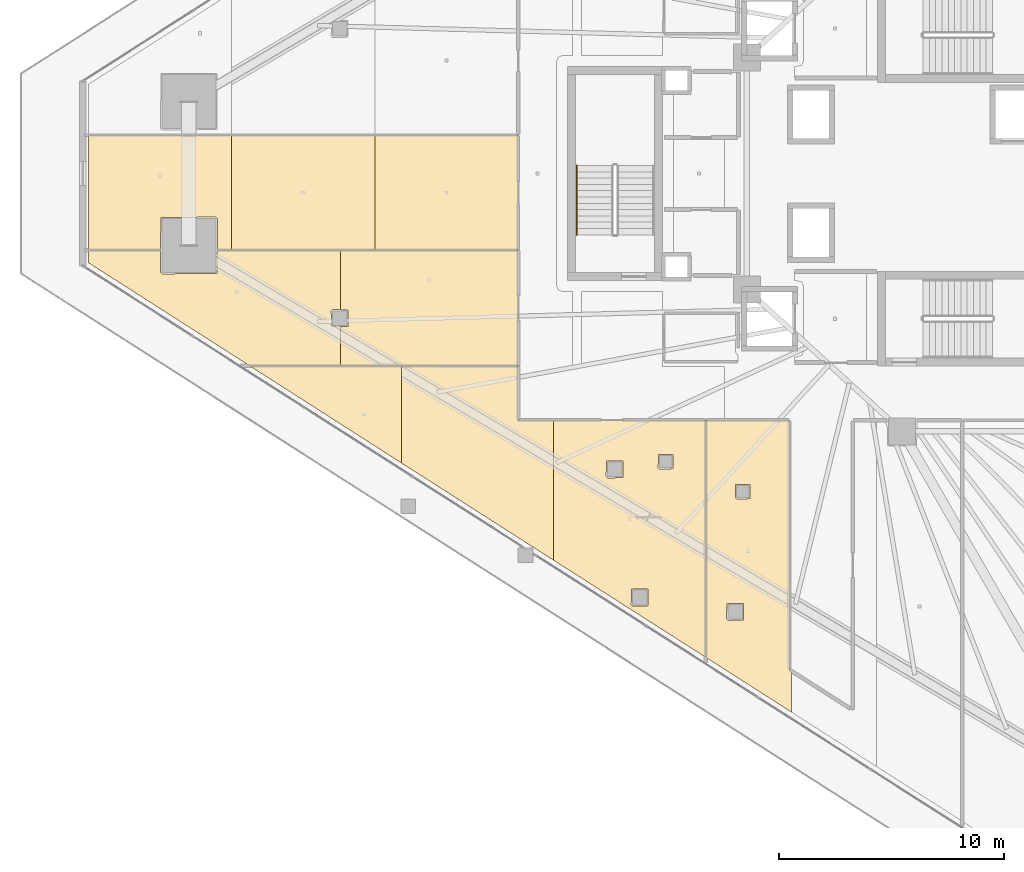
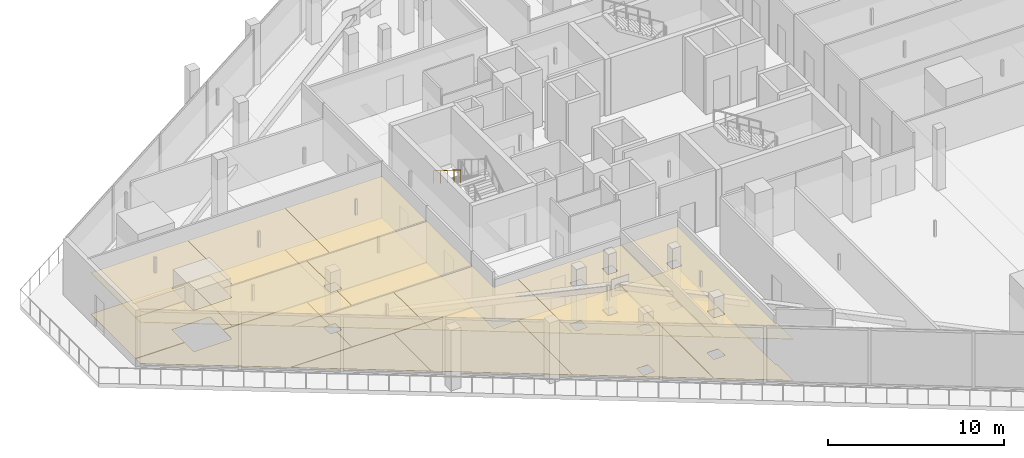
# One storey, part 44 of 52: 18 coverings, 1 railing.
"""IFC4 building model written with IfcOpenShell, lengths in metres."""

from ifc_helpers import new_model, si_unit, direction, frame, origin, origin_2d, place, context, subcontext, project, spatial, polyline, circle, outline, extrude, material, layer, layer_set, type_object, element, save


model = new_model("IFC4")

# Units and contexts
model_context = context("Model", 3, precision=1e-05, world=origin(), true_north=direction((0.0, 1.0)))
body_context = subcontext(model_context, "Body", "Model", "MODEL_VIEW")
ifc_project = project(units=[si_unit("LENGTHUNIT", "METRE"), si_unit("AREAUNIT", "SQUARE_METRE"), si_unit("VOLUMEUNIT", "CUBIC_METRE"), si_unit("PLANEANGLEUNIT", "RADIAN"), si_unit("MASSUNIT", "GRAM", prefix="KILO")], contexts=[model_context])

# Site, building, storey
site_placement = place(None, origin())
site = spatial("IfcSite", under=ifc_project, at=site_placement, CompositionType="ELEMENT")
building_placement = place(site_placement, origin())
building = spatial("IfcBuilding", under=site, at=building_placement, Name="Qorvath Tower", CompositionType="ELEMENT")
storey_placement = place(building_placement, frame((0.0, 0.0, 61.800048828125)))
storey = spatial("IfcBuildingStorey", under=building, at=storey_placement, Name="L13", CompositionType="ELEMENT", Elevation=61.800048828125)

# Coverings
ifc_material_1 = material(Name="Acoustic mineral fibre ceiling tile", Category="gypsum")
ifc_layer_1 = layer(ifc_material_1, 0.030029296875)
ifc_layer_set_1 = layer_set([ifc_layer_1], Name="COV-CEIL")
covering_type_1 = type_object("IfcCoveringType", Name="COV-CEIL", PredefinedType="CEILING", material=ifc_layer_set_1)
covering_1_placement = place(storey_placement, frame((0.0, 0.0, 2.849853515625)))
element("IfcCovering", 1, at=covering_1_placement, inside=storey, type_object=covering_type_1, Name="L13 Suspended Acoustic Ceiling 019", PredefinedType="CEILING", context=body_context, shape_type="SweptSolid", body=[
    extrude(outline(polyline([(-45.834228515625, -12.859375), (-45.834228515625, -8.548828125), (-52.58544921875, -8.541015625), (-45.834228515625, -12.859375)])), origin(), (0.0, 0.0, 1.0), 0.030029296875),
])
covering_2_placement = place(storey_placement, frame((0.0, 0.0, 2.849853515625)))
element("IfcCovering", 2, at=covering_2_placement, inside=storey, type_object=covering_type_1, Name="L13 Suspended Acoustic Ceiling 020", PredefinedType="CEILING", context=body_context, shape_type="SweptSolid", body=[
    extrude(outline(polyline([(-39.0830078125, -10.962890625), (-40.657958984375, -10.962890625), (-40.6630859375, -8.554931640625), (-45.834228515625, -8.548828125), (-45.834228515625, -12.859375), (-39.0830078125, -17.17626953125), (-39.0830078125, -10.962890625)])), origin(), (0.0, 0.0, 1.0), 0.030029296875),
])
covering_3_placement = place(storey_placement, frame((0.0, 0.0, 2.849853515625)))
element("IfcCovering", 3, at=covering_3_placement, inside=storey, type_object=covering_type_1, Name="L13 Suspended Acoustic Ceiling 021", PredefinedType="CEILING", context=body_context, shape_type="SweptSolid", body=[
    extrude(outline(polyline([(-32.331787109375, -21.483154296875), (-32.331787109375, -10.962890625), (-39.0830078125, -10.962890625), (-39.0830078125, -17.17626953125), (-32.331787109375, -21.483154296875)]), holes=[polyline([(-34.439208984375, -13.0673828125), (-34.421630859375, -12.47509765625), (-33.786865234375, -12.47509765625), (-33.786865234375, -13.10986328125), (-34.379150390625, -13.12744140625), (-34.439208984375, -13.0673828125)]), polyline([(-35.63671875, -19.154296875), (-35.619140625, -18.4619140625), (-34.88427734375, -18.4619140625), (-34.88427734375, -19.19677734375), (-35.57666015625, -19.21435546875), (-35.63671875, -19.154296875)]), polyline([(-36.749755859375, -13.46044921875), (-36.732177734375, -12.76806640625), (-35.997314453125, -12.76806640625), (-35.997314453125, -13.5029296875), (-36.689697265625, -13.5205078125), (-36.749755859375, -13.46044921875)])]), origin(), (0.0, 0.0, 1.0), 0.030029296875),
])
covering_4_placement = place(storey_placement, frame((0.0, 0.0, 2.849853515625)))
element("IfcCovering", 4, at=covering_4_placement, inside=storey, type_object=covering_type_1, Name="L13 Suspended Acoustic Ceiling 022", PredefinedType="CEILING", context=body_context, shape_type="SweptSolid", body=[
    extrude(outline(polyline([(-28.522705078125, -23.917724609375), (-28.522705078125, -22.0966796875), (-28.613037109375, -22.0390625), (-28.613037109375, -10.962890625), (-32.313720703125, -10.962890625), (-32.313720703125, -21.494873046875), (-28.522705078125, -23.917724609375)]), holes=[polyline([(-31.01220703125, -14.3994140625), (-30.99462890625, -13.806884765625), (-30.35986328125, -13.806884765625), (-30.35986328125, -14.441650390625), (-30.9521484375, -14.459228515625), (-31.01220703125, -14.3994140625)]), polyline([(-31.401123046875, -19.785400390625), (-31.383544921875, -19.093017578125), (-30.648681640625, -19.093017578125), (-30.648681640625, -19.827880859375), (-31.341064453125, -19.845458984375), (-31.401123046875, -19.785400390625)])]), origin(), (0.0, 0.0, 1.0), 0.030029296875),
])
covering_5_placement = place(storey_placement, frame((0.0, 0.0, 2.849853515625)))
element("IfcCovering", 5, at=covering_5_placement, inside=storey, type_object=covering_type_1, Name="L13 Suspended Acoustic Ceiling 038", PredefinedType="CEILING", context=body_context, shape_type="SweptSolid", body=[
    extrude(outline(polyline([(-48.55126953125, -8.532958984375), (-48.55126953125, -6.7919921875), (-48.94580078125, -6.7919921875), (-48.96337890625, -6.099609375), (-48.9033203125, -6.03955078125), (-48.55126953125, -6.048583984375), (-48.55126953125, -3.40771484375), (-54.02294921875, -3.40771484375), (-54.04052734375, -4.43701171875), (-56.48291015625, -4.45458984375), (-56.54296875, -4.39453125), (-56.54296875, -3.40771484375), (-59.743408203125, -3.40771484375), (-59.743408203125, -3.963623046875), (-52.59765625, -8.53076171875), (-48.55126953125, -8.532958984375)])), origin(), (0.0, 0.0, 1.0), 0.030029296875),
])
covering_6_placement = place(storey_placement, frame((0.0, 0.0, 2.849853515625)))
element("IfcCovering", 6, at=covering_6_placement, inside=storey, type_object=covering_type_1, Name="L13 Suspended Acoustic Ceiling 039", PredefinedType="CEILING", context=body_context, shape_type="SweptSolid", body=[
    extrude(outline(polyline([(-40.6630859375, -8.537109375), (-40.6630859375, -3.40771484375), (-48.55126953125, -3.40771484375), (-48.55126953125, -6.048583984375), (-48.2109375, -6.05712890625), (-48.2109375, -6.7919921875), (-48.55126953125, -6.7919921875), (-48.55126953125, -8.532958984375), (-40.6630859375, -8.537109375)])), origin(), (0.0, 0.0, 1.0), 0.030029296875),
])
covering_7_placement = place(storey_placement, frame((0.0, 0.0, 2.849853515625)))
element("IfcCovering", 7, at=covering_7_placement, inside=storey, type_object=covering_type_1, Name="L13 Suspended Acoustic Ceiling 040", PredefinedType="CEILING", context=body_context, shape_type="SweptSolid", body=[
    extrude(outline(polyline([(-54.02294921875, -3.389892578125), (-53.38330078125, -3.389892578125), (-53.38330078125, 1.697998046875), (-59.743408203125, 1.697998046875), (-59.743408203125, -3.389892578125), (-56.54296875, -3.389892578125), (-56.525390625, -1.9521484375), (-54.0830078125, -1.9345703125), (-54.02294921875, -1.994384765625), (-54.02294921875, -3.389892578125)])), origin(), (0.0, 0.0, 1.0), 0.030029296875),
])
covering_8_placement = place(storey_placement, frame((0.0, 0.0, 2.849853515625)))
element("IfcCovering", 8, at=covering_8_placement, inside=storey, type_object=covering_type_1, Name="L13 Suspended Acoustic Ceiling 041", PredefinedType="CEILING", context=body_context, shape_type="SweptSolid", body=[
    extrude(outline(polyline([(-53.38330078125, 1.697998046875), (-53.38330078125, -3.389892578125), (-47.023193359375, -3.389892578125), (-47.023193359375, 1.697998046875), (-53.38330078125, 1.697998046875)])), origin(), (0.0, 0.0, 1.0), 0.030029296875),
])
covering_9_placement = place(storey_placement, frame((0.0, 0.0, 2.849853515625)))
element("IfcCovering", 9, at=covering_9_placement, inside=storey, type_object=covering_type_1, Name="L13 Suspended Acoustic Ceiling 042", PredefinedType="CEILING", context=body_context, shape_type="SweptSolid", body=[
    extrude(outline(polyline([(-47.023193359375, 1.697998046875), (-47.023193359375, -3.389892578125), (-40.6630859375, -3.389892578125), (-40.6630859375, 1.697998046875), (-47.023193359375, 1.697998046875)])), origin(), (0.0, 0.0, 1.0), 0.030029296875),
])
ifc_material_2 = material(Name="Low-VOC modular carpet tile", Category="textile")
ifc_layer_2 = layer(ifc_material_2, 0.014892578125)
ifc_layer_set_2 = layer_set([ifc_layer_2], Name="COV-FLOOR-CPT")
covering_type_2 = type_object("IfcCoveringType", Name="COV-FLOOR-CPT", PredefinedType="FLOORING", material=ifc_layer_set_2)
covering_10_placement = place(storey_placement, origin())
element("IfcCovering", 10, at=covering_10_placement, inside=storey, type_object=covering_type_2, Name="L13 Floor Finish 019", PredefinedType="FLOORING", context=body_context, shape_type="SweptSolid", body=[
    extrude(outline(polyline([(-45.834228515625, -12.859375), (-45.834228515625, -8.548828125), (-52.58544921875, -8.541015625), (-45.834228515625, -12.859375)])), origin(), (0.0, 0.0, 1.0), 0.014892578125),
])
covering_11_placement = place(storey_placement, origin())
element("IfcCovering", 11, at=covering_11_placement, inside=storey, type_object=covering_type_2, Name="L13 Floor Finish 020", PredefinedType="FLOORING", context=body_context, shape_type="SweptSolid", body=[
    extrude(outline(polyline([(-39.0830078125, -10.962890625), (-40.657958984375, -10.962890625), (-40.6630859375, -8.554931640625), (-45.834228515625, -8.548828125), (-45.834228515625, -12.859375), (-39.0830078125, -17.17626953125), (-39.0830078125, -10.962890625)])), origin(), (0.0, 0.0, 1.0), 0.014892578125),
])
covering_12_placement = place(storey_placement, origin())
element("IfcCovering", 12, at=covering_12_placement, inside=storey, type_object=covering_type_2, Name="L13 Floor Finish 021", PredefinedType="FLOORING", context=body_context, shape_type="SweptSolid", body=[
    extrude(outline(polyline([(-32.331787109375, -21.483154296875), (-32.331787109375, -10.962890625), (-39.0830078125, -10.962890625), (-39.0830078125, -17.17626953125), (-32.331787109375, -21.483154296875)]), holes=[polyline([(-34.439208984375, -13.0673828125), (-34.421630859375, -12.47509765625), (-33.786865234375, -12.47509765625), (-33.786865234375, -13.10986328125), (-34.379150390625, -13.12744140625), (-34.439208984375, -13.0673828125)]), polyline([(-35.63671875, -19.154296875), (-35.619140625, -18.4619140625), (-34.88427734375, -18.4619140625), (-34.88427734375, -19.19677734375), (-35.57666015625, -19.21435546875), (-35.63671875, -19.154296875)]), polyline([(-36.749755859375, -13.46044921875), (-36.732177734375, -12.76806640625), (-35.997314453125, -12.76806640625), (-35.997314453125, -13.5029296875), (-36.689697265625, -13.5205078125), (-36.749755859375, -13.46044921875)])]), origin(), (0.0, 0.0, 1.0), 0.014892578125),
])
covering_13_placement = place(storey_placement, origin())
element("IfcCovering", 13, at=covering_13_placement, inside=storey, type_object=covering_type_2, Name="L13 Floor Finish 022", PredefinedType="FLOORING", context=body_context, shape_type="SweptSolid", body=[
    extrude(outline(polyline([(-28.522705078125, -23.917724609375), (-28.522705078125, -22.0966796875), (-28.613037109375, -22.0390625), (-28.613037109375, -10.962890625), (-32.313720703125, -10.962890625), (-32.313720703125, -21.494873046875), (-28.522705078125, -23.917724609375)]), holes=[polyline([(-31.01220703125, -14.3994140625), (-30.99462890625, -13.806884765625), (-30.35986328125, -13.806884765625), (-30.35986328125, -14.441650390625), (-30.9521484375, -14.459228515625), (-31.01220703125, -14.3994140625)]), polyline([(-31.401123046875, -19.785400390625), (-31.383544921875, -19.093017578125), (-30.648681640625, -19.093017578125), (-30.648681640625, -19.827880859375), (-31.341064453125, -19.845458984375), (-31.401123046875, -19.785400390625)])]), origin(), (0.0, 0.0, 1.0), 0.014892578125),
])
covering_14_placement = place(storey_placement, origin())
element("IfcCovering", 14, at=covering_14_placement, inside=storey, type_object=covering_type_2, Name="L13 Floor Finish 038", PredefinedType="FLOORING", context=body_context, shape_type="SweptSolid", body=[
    extrude(outline(polyline([(-48.55126953125, -8.532958984375), (-48.55126953125, -6.7919921875), (-48.94580078125, -6.7919921875), (-48.96337890625, -6.099609375), (-48.9033203125, -6.03955078125), (-48.55126953125, -6.048583984375), (-48.55126953125, -3.40771484375), (-54.02294921875, -3.40771484375), (-54.04052734375, -4.43701171875), (-56.48291015625, -4.45458984375), (-56.54296875, -4.39453125), (-56.54296875, -3.40771484375), (-59.743408203125, -3.40771484375), (-59.743408203125, -3.963623046875), (-52.59765625, -8.53076171875), (-48.55126953125, -8.532958984375)])), origin(), (0.0, 0.0, 1.0), 0.014892578125),
])
covering_15_placement = place(storey_placement, origin())
element("IfcCovering", 15, at=covering_15_placement, inside=storey, type_object=covering_type_2, Name="L13 Floor Finish 039", PredefinedType="FLOORING", context=body_context, shape_type="SweptSolid", body=[
    extrude(outline(polyline([(-40.6630859375, -8.537109375), (-40.6630859375, -3.40771484375), (-48.55126953125, -3.40771484375), (-48.55126953125, -6.048583984375), (-48.2109375, -6.05712890625), (-48.2109375, -6.7919921875), (-48.55126953125, -6.7919921875), (-48.55126953125, -8.532958984375), (-40.6630859375, -8.537109375)])), origin(), (0.0, 0.0, 1.0), 0.014892578125),
])
covering_16_placement = place(storey_placement, origin())
element("IfcCovering", 16, at=covering_16_placement, inside=storey, type_object=covering_type_2, Name="L13 Floor Finish 040", PredefinedType="FLOORING", context=body_context, shape_type="SweptSolid", body=[
    extrude(outline(polyline([(-54.02294921875, -3.389892578125), (-53.38330078125, -3.389892578125), (-53.38330078125, 1.697998046875), (-59.743408203125, 1.697998046875), (-59.743408203125, -3.389892578125), (-56.54296875, -3.389892578125), (-56.525390625, -1.9521484375), (-54.0830078125, -1.9345703125), (-54.02294921875, -1.994384765625), (-54.02294921875, -3.389892578125)])), origin(), (0.0, 0.0, 1.0), 0.014892578125),
])
covering_17_placement = place(storey_placement, origin())
element("IfcCovering", 17, at=covering_17_placement, inside=storey, type_object=covering_type_2, Name="L13 Floor Finish 041", PredefinedType="FLOORING", context=body_context, shape_type="SweptSolid", body=[
    extrude(outline(polyline([(-53.38330078125, 1.697998046875), (-53.38330078125, -3.389892578125), (-47.023193359375, -3.389892578125), (-47.023193359375, 1.697998046875), (-53.38330078125, 1.697998046875)])), origin(), (0.0, 0.0, 1.0), 0.014892578125),
])
covering_18_placement = place(storey_placement, origin())
element("IfcCovering", 18, at=covering_18_placement, inside=storey, type_object=covering_type_2, Name="L13 Floor Finish 042", PredefinedType="FLOORING", context=body_context, shape_type="SweptSolid", body=[
    extrude(outline(polyline([(-47.023193359375, 1.697998046875), (-47.023193359375, -3.389892578125), (-40.6630859375, -3.389892578125), (-40.6630859375, 1.697998046875), (-47.023193359375, 1.697998046875)])), origin(), (0.0, 0.0, 1.0), 0.014892578125),
])

# Railing
ifc_material_3 = material(Name="Brushed stainless steel AISI 304", Category="steel")
railing_type = type_object("IfcRailingType", Name="RL-STR-HND", PredefinedType="HANDRAIL", material=ifc_material_3)
railing_placement = place(storey_placement, frame((-38.06005859375, 0.360107421875, 2.27490234375)))
element("IfcRailing", 19, at=railing_placement, inside=storey, type_object=railing_type, Name="L13 TS3 stair handrail 2", PredefinedType="HANDRAIL", context=body_context, shape_type="SweptSolid", body=[
    extrude(circle(Radius=0.02392578125, at=origin_2d()), frame((0.0, 0.0, 0.8759765625), z_axis=(0.0, -0.847998304005, 0.529998940003), x_axis=(1.0, 0.0, 0.0)), (0.0, 0.0, 1.0), 3.632080078125),
    extrude(circle(Radius=0.02099609375, at=origin_2d()), origin(), (0.0, 0.0, 1.0), 0.851806640625),
    extrude(circle(Radius=0.02099609375, at=origin_2d()), frame((0.0, -0.77001953125, 0.481201171875)), (0.0, 0.0, 1.0), 0.851806640625),
    extrude(circle(Radius=0.02099609375, at=origin_2d()), frame((0.0, -1.5400390625, 0.96240234375)), (0.0, 0.0, 1.0), 0.851806640625),
    extrude(circle(Radius=0.02099609375, at=origin_2d()), frame((0.0, -2.31005859375, 1.44384765625)), (0.0, 0.0, 1.0), 0.851806640625),
    extrude(circle(Radius=0.02099609375, at=origin_2d()), frame((0.0, -3.080078125, 1.925048828125)), (0.0, 0.0, 1.0), 0.851806640625),
])

save(model, "model.ifc")
